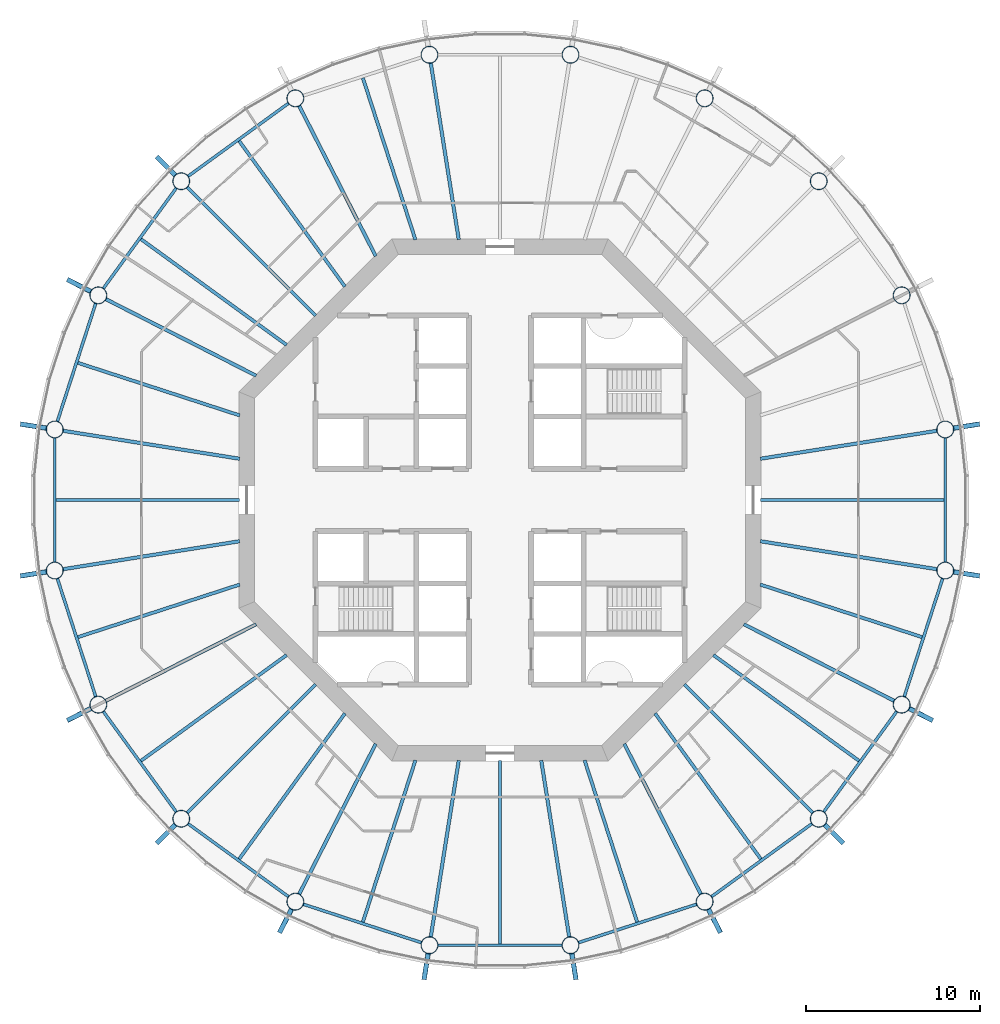
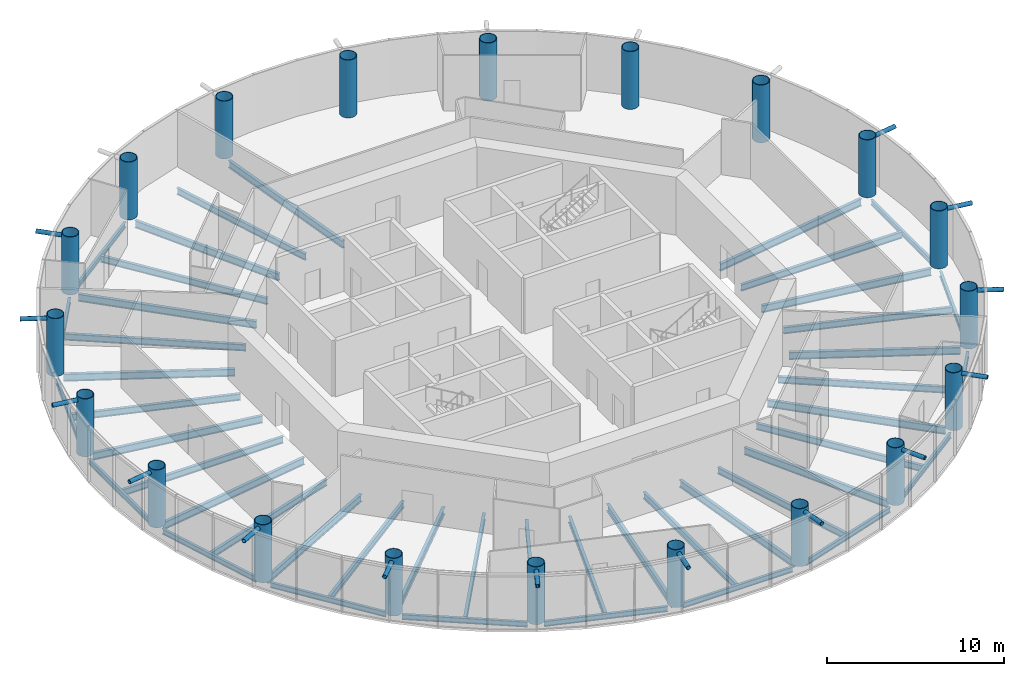
# One storey, part 1 of 13: 45 beams, 20 columns, 14 members.
"""IFC4 building model written with IfcOpenShell, lengths in metres."""

from ifc_helpers import new_model, si_unit, direction, frame, origin, origin_2d, place, context, subcontext, project, spatial, circle, hollow_circle, i_section, extrude, material, material_profile, profile_set, type_object, element, save


model = new_model("IFC4")

# Units and contexts
model_context = context("Model", 3, precision=1e-05, world=origin(), true_north=direction((0.0, 1.0)))
body_context = subcontext(model_context, "Body", "Model", "MODEL_VIEW")
ifc_project = project(units=[si_unit("LENGTHUNIT", "METRE"), si_unit("AREAUNIT", "SQUARE_METRE"), si_unit("VOLUMEUNIT", "CUBIC_METRE"), si_unit("PLANEANGLEUNIT", "RADIAN"), si_unit("MASSUNIT", "GRAM", prefix="KILO")], contexts=[model_context])

# Site, building, storey
site_placement = place(None, origin())
site = spatial("IfcSite", under=ifc_project, at=site_placement, CompositionType="ELEMENT")
building_placement = place(site_placement, origin())
building = spatial("IfcBuilding", under=site, at=building_placement, Name="Entoto Ring Tower", CompositionType="ELEMENT")
storey_placement = place(building_placement, frame((0.0, 0.0, 226.0)))
storey = spatial("IfcBuildingStorey", under=building, at=storey_placement, Name="L52", CompositionType="ELEMENT", Elevation=226.0)

# Columns
ifc_material_1 = material(Name="Steel S355", Category="steel")
ifc_material_profile_1 = material_profile(ifc_material_1, hollow_circle(Radius=0.5, WallThickness=0.0400390625, at=origin_2d()), Name="CHS 1000 x 40")
ifc_material_2 = material(Name="Concrete C60/75", Category="concrete")
ifc_material_profile_2 = material_profile(ifc_material_2, circle(Radius=0.4599609375, at=origin_2d()), Name="Concrete C60/75 infill")
ifc_profile_set_1 = profile_set([ifc_material_profile_1, ifc_material_profile_2], Name="Steel S355")
column_type = type_object("IfcColumnType", Name="Ring column 1000 x 40 concrete-filled tube", PredefinedType="COLUMN", material=ifc_profile_set_1)
for number, where, z_axis, x_axis, name in (
    (1, (115.5810546875, 84.0517578125, 0.0), (0.0, 0.0, 1.0), (1.0, 0.0, 0.0), "RC4 R01"),
    (2, (113.0771484375, 91.75830078125, 0.0), (0.0, 0.0, 1.0), (1.0, 0.0, 0.0), "RC4 R02"),
    (3, (108.31396484375, 98.31396484375, 0.0), (0.0, 0.0, 1.0), (1.0, 0.0, 0.0), "RC4 R03"),
    (4, (101.75830078125, 103.0771484375, 0.0), (0.0, 0.0, 1.0), (1.0, 0.0, 0.0), "RC4 R04"),
    (5, (94.0517578125, 105.5810546875, 0.0), (0.0, 0.0, 1.0), (1.0, 0.0, 0.0), "RC4 R05"),
    (6, (85.9482421875, 105.5810546875, 0.0), (0.0, 0.0, 1.0), (1.0, 0.0, 0.0), "RC4 R06"),
    (7, (78.24169921875, 103.0771484375, 0.0), (0.0, 0.0, 1.0), (1.0, 0.0, 0.0), "RC4 R07"),
    (8, (71.68603515625, 98.31396484375, 0.0), (0.0, 0.0, 1.0), (1.0, 0.0, 0.0), "RC4 R08"),
    (9, (66.9228515625, 91.75830078125, 0.0), (0.0, 0.0, 1.0), (1.0, 0.0, 0.0), "RC4 R09"),
    (10, (64.4189453125, 84.0517578125, 0.0), (0.0, 0.0, 1.0), (1.0, 0.0, 0.0), "RC4 R10"),
    (11, (64.4189453125, 75.9482421875, 0.0), (0.0, 0.0, 1.0), (1.0, 0.0, 0.0), "RC4 R11"),
    (12, (66.9228515625, 68.24169921875, 0.0), (0.0, 0.0, 1.0), (1.0, 0.0, 0.0), "RC4 R12"),
    (13, (71.68603515625, 61.68603515625, 0.0), (0.0, 0.0, 1.0), (1.0, 0.0, 0.0), "RC4 R13"),
    (14, (78.24169921875, 56.9228515625, 0.0), (0.0, 0.0, 1.0), (1.0, 0.0, 0.0), "RC4 R14"),
    (15, (85.9482421875, 54.4189453125, 0.0), (0.0, 0.0, 1.0), (1.0, 0.0, 0.0), "RC4 R15"),
    (16, (94.0517578125, 54.4189453125, 0.0), (0.0, 0.0, 1.0), (1.0, 0.0, 0.0), "RC4 R16"),
    (17, (101.75830078125, 56.9228515625, 0.0), (0.0, 0.0, 1.0), (1.0, 0.0, 0.0), "RC4 R17"),
    (18, (108.31396484375, 61.68603515625, 0.0), (0.0, 0.0, 1.0), (1.0, 0.0, 0.0), "RC4 R18"),
    (19, (113.0771484375, 68.24169921875, 0.0), (0.0, 0.0, 1.0), (1.0, 0.0, 0.0), "RC4 R19"),
    (20, (115.5810546875, 75.9482421875, 0.0), (0.0, 0.0, 1.0), (1.0, 0.0, 0.0), "RC4 R20"),
):
    element("IfcColumn", number, at=place(storey_placement, frame(where, z_axis=z_axis, x_axis=x_axis)), inside=storey, type_object=column_type, Name=name, PredefinedType="COLUMN", context=body_context, shape_type="SweptSolid", body=[
        extrude(hollow_circle(Radius=0.5, WallThickness=0.0400390625, at=origin_2d()), origin(), (0.0, 0.0, 1.0), 4.0),
    ])

# Members
ifc_material_3 = material(Name="Steel S355", Category="steel")
ifc_material_profile_3 = material_profile(ifc_material_3, hollow_circle(Radius=0.136474609375, WallThickness=0.012451171875, at=origin_2d()), Name="CHS 273 x 12.5")
ifc_material_4 = material(Name="Concrete C60/75", Category="concrete")
ifc_material_profile_4 = material_profile(ifc_material_4, circle(Radius=0.1240234375, at=origin_2d()), Name="Concrete C60/75 infill")
ifc_profile_set_2 = profile_set([ifc_material_profile_3, ifc_material_profile_4], Name="Steel S355")
member_type = type_object("IfcMemberType", Name="Diagrid node strut 273 x 12.5", PredefinedType="STRUT", material=ifc_profile_set_2)
member_1_placement = place(storey_placement, frame((116.036376953125, 84.123779296875, 3.71337890625), z_axis=(0.987690828979, 0.156418753192, 0.0), x_axis=(-0.156418753192, 0.987690828979, 0.0)))
element("IfcMember", 21, at=member_1_placement, inside=storey, type_object=member_type, Name="DS2 strut ring 16 01", PredefinedType="STRUT", context=body_context, shape_type="SweptSolid", body=[
    extrude(hollow_circle(Radius=0.136474609375, WallThickness=0.012451171875, at=origin_2d()), origin(), (0.0, 0.0, 1.0), 1.5390625),
])
member_2_placement = place(storey_placement, frame((71.360107421875, 98.639892578125, 3.71337890625), z_axis=(-0.707106781187, 0.707106781187, 0.0), x_axis=(-0.707106781187, -0.707106781187, 0.0)))
element("IfcMember", 22, at=member_2_placement, inside=storey, type_object=member_type, Name="DS2 strut ring 16 08", PredefinedType="STRUT", context=body_context, shape_type="SweptSolid", body=[
    extrude(hollow_circle(Radius=0.136474609375, WallThickness=0.012451171875, at=origin_2d()), origin(), (0.0, 0.0, 1.0), 1.539306640625),
])
for number, where, z_axis, x_axis, name in (
    (23, (66.51220703125, 91.967529296875, 3.71337890625), (-0.891006809714, 0.453989939363, 0.0), (-0.453989939363, -0.891006809714, 0.0), "DS2 strut ring 16 09"),
    (24, (63.963623046875, 84.123779296875, 3.71337890625), (-0.987690828979, 0.156418753192, 0.0), (-0.156418753192, -0.987690828979, 0.0), "DS2 strut ring 16 10"),
    (25, (63.963623046875, 75.876220703125, 3.71337890625), (-0.987690828979, -0.156418753192, 0.0), (0.156418753192, -0.987690828979, 0.0), "DS2 strut ring 16 11"),
    (26, (66.51220703125, 68.032470703125, 3.71337890625), (-0.891006809714, -0.453989939363, 0.0), (0.453989939363, -0.891006809714, 0.0), "DS2 strut ring 16 12"),
):
    element("IfcMember", number, at=place(storey_placement, frame(where, z_axis=z_axis, x_axis=x_axis)), inside=storey, type_object=member_type, Name=name, PredefinedType="STRUT", context=body_context, shape_type="SweptSolid", body=[
        extrude(hollow_circle(Radius=0.136474609375, WallThickness=0.012451171875, at=origin_2d()), origin(), (0.0, 0.0, 1.0), 1.5390625),
    ])
member_3_placement = place(storey_placement, frame((71.360107421875, 61.360107421875, 3.71337890625), z_axis=(-0.707106781187, -0.707106781187, 0.0), x_axis=(0.707106781187, -0.707106781187, 0.0)))
element("IfcMember", 27, at=member_3_placement, inside=storey, type_object=member_type, Name="DS2 strut ring 16 13", PredefinedType="STRUT", context=body_context, shape_type="SweptSolid", body=[
    extrude(hollow_circle(Radius=0.136474609375, WallThickness=0.012451171875, at=origin_2d()), origin(), (0.0, 0.0, 1.0), 1.539306640625),
])
for number, where, z_axis, x_axis, name in (
    (28, (78.032470703125, 56.51220703125, 3.71337890625), (-0.453989939363, -0.891006809714, 0.0), (0.891006809714, -0.453989939363, 0.0), "DS2 strut ring 16 14"),
    (29, (85.876220703125, 53.963623046875, 3.71337890625), (-0.156418753192, -0.987690828979, 0.0), (0.987690828979, -0.156418753192, 0.0), "DS2 strut ring 16 15"),
    (30, (94.123779296875, 53.963623046875, 3.71337890625), (0.156418753192, -0.987690828979, 0.0), (0.987690828979, 0.156418753192, 0.0), "DS2 strut ring 16 16"),
    (31, (101.967529296875, 56.51220703125, 3.71337890625), (0.453989939363, -0.891006809714, 0.0), (0.891006809714, 0.453989939363, 0.0), "DS2 strut ring 16 17"),
):
    element("IfcMember", number, at=place(storey_placement, frame(where, z_axis=z_axis, x_axis=x_axis)), inside=storey, type_object=member_type, Name=name, PredefinedType="STRUT", context=body_context, shape_type="SweptSolid", body=[
        extrude(hollow_circle(Radius=0.136474609375, WallThickness=0.012451171875, at=origin_2d()), origin(), (0.0, 0.0, 1.0), 1.5390625),
    ])
member_4_placement = place(storey_placement, frame((108.639892578125, 61.360107421875, 3.71337890625), z_axis=(0.707106781187, -0.707106781187, 0.0), x_axis=(0.707106781187, 0.707106781187, 0.0)))
element("IfcMember", 32, at=member_4_placement, inside=storey, type_object=member_type, Name="DS2 strut ring 16 18", PredefinedType="STRUT", context=body_context, shape_type="SweptSolid", body=[
    extrude(hollow_circle(Radius=0.136474609375, WallThickness=0.012451171875, at=origin_2d()), origin(), (0.0, 0.0, 1.0), 1.539306640625),
])
for number, where, z_axis, x_axis, name in (
    (33, (113.48779296875, 68.032470703125, 3.71337890625), (0.891006809714, -0.453989939363, 0.0), (0.453989939363, 0.891006809714, 0.0), "DS2 strut ring 16 19"),
    (34, (116.036376953125, 75.876220703125, 3.71337890625), (0.987690828979, -0.156418753192, 0.0), (0.156418753192, 0.987690828979, 0.0), "DS2 strut ring 16 20"),
):
    element("IfcMember", number, at=place(storey_placement, frame(where, z_axis=z_axis, x_axis=x_axis)), inside=storey, type_object=member_type, Name=name, PredefinedType="STRUT", context=body_context, shape_type="SweptSolid", body=[
        extrude(hollow_circle(Radius=0.136474609375, WallThickness=0.012451171875, at=origin_2d()), origin(), (0.0, 0.0, 1.0), 1.5390625),
    ])

# Beams
ifc_material_5 = material(Name="Steel S355", Category="steel")
ifc_material_profile_5 = material_profile(ifc_material_5, i_section(OverallWidth=0.169921875, OverallDepth=0.360107421875, WebThickness=0.008056640625, FlangeThickness=0.0126953125, FilletRadius=0.01806640625, at=origin_2d()), Name="IPE 360")
ifc_profile_set_3 = profile_set([ifc_material_profile_5], Name="Steel S355")
beam_type_1 = type_object("IfcBeamType", Name="Edge beam IPE 360", PredefinedType="SPANDREL", material=ifc_profile_set_3)
for number, where, z_axis, x_axis, name in (
    (35, (77.859375, 102.79931640625, -0.330078125), (-0.809010324619, -0.587794432314, 0.0), (0.587794432314, -0.809010324619, 0.0), "Edge beam L52 07"),
    (36, (71.408203125, 97.931640625, -0.330078125), (-0.587794432314, -0.809010324619, 0.0), (0.809010324619, -0.587794432314, 0.0), "Edge beam L52 08"),
):
    element("IfcBeam", number, at=place(storey_placement, frame(where, z_axis=z_axis, x_axis=x_axis)), inside=storey, type_object=beam_type_1, Name=name, PredefinedType="SPANDREL", context=body_context, shape_type="SweptSolid", body=[
        extrude(i_section(OverallWidth=0.169921875, OverallDepth=0.360107421875, WebThickness=0.008056640625, FlangeThickness=0.0126953125, FilletRadius=0.01806640625, at=origin_2d()), origin(), (0.0, 0.0, 1.0), 7.158203125),
    ])
beam_1_placement = place(storey_placement, frame((66.77685546875, 91.308837890625, -0.330078125), z_axis=(-0.309015118354, -0.951057125849, 0.0), x_axis=(0.951057125849, -0.309015118354, 0.0)))
element("IfcBeam", 37, at=beam_1_placement, inside=storey, type_object=beam_type_1, Name="Edge beam L52 09", PredefinedType="SPANDREL", context=body_context, shape_type="SweptSolid", body=[
    extrude(i_section(OverallWidth=0.169921875, OverallDepth=0.360107421875, WebThickness=0.008056640625, FlangeThickness=0.0126953125, FilletRadius=0.01806640625, at=origin_2d()), origin(), (0.0, 0.0, 1.0), 7.157958984375),
])
beam_2_placement = place(storey_placement, frame((64.4189453125, 83.5791015625, -0.330078125), z_axis=(0.0, -1.0, 0.0), x_axis=(1.0, 0.0, 0.0)))
element("IfcBeam", 38, at=beam_2_placement, inside=storey, type_object=beam_type_1, Name="Edge beam L52 10", PredefinedType="SPANDREL", context=body_context, shape_type="SweptSolid", body=[
    extrude(i_section(OverallWidth=0.169921875, OverallDepth=0.360107421875, WebThickness=0.008056640625, FlangeThickness=0.0126953125, FilletRadius=0.01806640625, at=origin_2d()), origin(), (0.0, 0.0, 1.0), 7.158203125),
])
beam_3_placement = place(storey_placement, frame((64.56494140625, 75.498779296875, -0.330078125), z_axis=(0.309015118354, -0.951057125849, 0.0), x_axis=(0.951057125849, 0.309015118354, 0.0)))
element("IfcBeam", 39, at=beam_3_placement, inside=storey, type_object=beam_type_1, Name="Edge beam L52 11", PredefinedType="SPANDREL", context=body_context, shape_type="SweptSolid", body=[
    extrude(i_section(OverallWidth=0.169921875, OverallDepth=0.360107421875, WebThickness=0.008056640625, FlangeThickness=0.0126953125, FilletRadius=0.01806640625, at=origin_2d()), origin(), (0.0, 0.0, 1.0), 7.157958984375),
])
for number, where, z_axis, x_axis, name in (
    (40, (67.20068359375, 67.859375, -0.330078125), (0.587794432314, -0.809010324619, 0.0), (0.809010324619, 0.587794432314, 0.0), "Edge beam L52 12"),
    (41, (72.068359375, 61.408203125, -0.330078125), (0.809010324619, -0.587794432314, 0.0), (0.587794432314, 0.809010324619, 0.0), "Edge beam L52 13"),
):
    element("IfcBeam", number, at=place(storey_placement, frame(where, z_axis=z_axis, x_axis=x_axis)), inside=storey, type_object=beam_type_1, Name=name, PredefinedType="SPANDREL", context=body_context, shape_type="SweptSolid", body=[
        extrude(i_section(OverallWidth=0.169921875, OverallDepth=0.360107421875, WebThickness=0.008056640625, FlangeThickness=0.0126953125, FilletRadius=0.01806640625, at=origin_2d()), origin(), (0.0, 0.0, 1.0), 7.158203125),
    ])
beam_4_placement = place(storey_placement, frame((78.691162109375, 56.77685546875, -0.330078125), z_axis=(0.951057125849, -0.309015118354, 0.0), x_axis=(0.309015118354, 0.951057125849, 0.0)))
element("IfcBeam", 42, at=beam_4_placement, inside=storey, type_object=beam_type_1, Name="Edge beam L52 14", PredefinedType="SPANDREL", context=body_context, shape_type="SweptSolid", body=[
    extrude(i_section(OverallWidth=0.169921875, OverallDepth=0.360107421875, WebThickness=0.008056640625, FlangeThickness=0.0126953125, FilletRadius=0.01806640625, at=origin_2d()), origin(), (0.0, 0.0, 1.0), 7.157958984375),
])
beam_5_placement = place(storey_placement, frame((86.4208984375, 54.4189453125, -0.330078125), z_axis=(1.0, 0.0, 0.0), x_axis=(0.0, 1.0, 0.0)))
element("IfcBeam", 43, at=beam_5_placement, inside=storey, type_object=beam_type_1, Name="Edge beam L52 15", PredefinedType="SPANDREL", context=body_context, shape_type="SweptSolid", body=[
    extrude(i_section(OverallWidth=0.169921875, OverallDepth=0.360107421875, WebThickness=0.008056640625, FlangeThickness=0.0126953125, FilletRadius=0.01806640625, at=origin_2d()), origin(), (0.0, 0.0, 1.0), 7.158203125),
])
beam_6_placement = place(storey_placement, frame((94.501220703125, 54.56494140625, -0.330078125), z_axis=(0.951057125849, 0.309015118354, 0.0), x_axis=(-0.309015118354, 0.951057125849, 0.0)))
element("IfcBeam", 44, at=beam_6_placement, inside=storey, type_object=beam_type_1, Name="Edge beam L52 16", PredefinedType="SPANDREL", context=body_context, shape_type="SweptSolid", body=[
    extrude(i_section(OverallWidth=0.169921875, OverallDepth=0.360107421875, WebThickness=0.008056640625, FlangeThickness=0.0126953125, FilletRadius=0.01806640625, at=origin_2d()), origin(), (0.0, 0.0, 1.0), 7.157958984375),
])
for number, where, z_axis, x_axis, name in (
    (45, (102.140625, 57.20068359375, -0.330078125), (0.809010324619, 0.587794432314, 0.0), (-0.587794432314, 0.809010324619, 0.0), "Edge beam L52 17"),
    (46, (108.591796875, 62.068359375, -0.330078125), (0.587794432314, 0.809010324619, 0.0), (-0.809010324619, 0.587794432314, 0.0), "Edge beam L52 18"),
):
    element("IfcBeam", number, at=place(storey_placement, frame(where, z_axis=z_axis, x_axis=x_axis)), inside=storey, type_object=beam_type_1, Name=name, PredefinedType="SPANDREL", context=body_context, shape_type="SweptSolid", body=[
        extrude(i_section(OverallWidth=0.169921875, OverallDepth=0.360107421875, WebThickness=0.008056640625, FlangeThickness=0.0126953125, FilletRadius=0.01806640625, at=origin_2d()), origin(), (0.0, 0.0, 1.0), 7.158203125),
    ])
beam_7_placement = place(storey_placement, frame((113.22314453125, 68.691162109375, -0.330078125), z_axis=(0.309015118354, 0.951057125849, 0.0), x_axis=(-0.951057125849, 0.309015118354, 0.0)))
element("IfcBeam", 47, at=beam_7_placement, inside=storey, type_object=beam_type_1, Name="Edge beam L52 19", PredefinedType="SPANDREL", context=body_context, shape_type="SweptSolid", body=[
    extrude(i_section(OverallWidth=0.169921875, OverallDepth=0.360107421875, WebThickness=0.008056640625, FlangeThickness=0.0126953125, FilletRadius=0.01806640625, at=origin_2d()), origin(), (0.0, 0.0, 1.0), 7.157958984375),
])
beam_8_placement = place(storey_placement, frame((115.5810546875, 76.4208984375, -0.330078125), z_axis=(0.0, 1.0, 0.0), x_axis=(-1.0, 0.0, 0.0)))
element("IfcBeam", 48, at=beam_8_placement, inside=storey, type_object=beam_type_1, Name="Edge beam L52 20", PredefinedType="SPANDREL", context=body_context, shape_type="SweptSolid", body=[
    extrude(i_section(OverallWidth=0.169921875, OverallDepth=0.360107421875, WebThickness=0.008056640625, FlangeThickness=0.0126953125, FilletRadius=0.01806640625, at=origin_2d()), origin(), (0.0, 0.0, 1.0), 7.158203125),
])
ifc_material_6 = material(Name="Steel S355", Category="steel")
ifc_material_profile_6 = material_profile(ifc_material_6, i_section(OverallWidth=0.199951171875, OverallDepth=0.5, WebThickness=0.01025390625, FlangeThickness=0.01611328125, FilletRadius=0.02099609375, at=origin_2d()), Name="IPE 500")
ifc_profile_set_4 = profile_set([ifc_material_profile_6], Name="Steel S355")
beam_type_2 = type_object("IfcBeamType", Name="Primary floor beam IPE 500", PredefinedType="BEAM", material=ifc_profile_set_4)
for number, where, z_axis, x_axis, name in (
    (49, (104.964599609375, 82.3701171875, -0.39990234375), (0.987685619518, 0.156451644281, 0.0), (-0.156451644281, 0.987685619518, 0.0), "Primary L52 R01"),
    (50, (87.6298828125, 94.964599609375, -0.39990234375), (-0.156451644281, 0.987685619518, 0.0), (-0.987685619518, -0.156451644281, 0.0), "Primary L52 R06"),
):
    element("IfcBeam", number, at=place(storey_placement, frame(where, z_axis=z_axis, x_axis=x_axis)), inside=storey, type_object=beam_type_2, Name=name, PredefinedType="BEAM", context=body_context, shape_type="SweptSolid", body=[
        extrude(i_section(OverallWidth=0.199951171875, OverallDepth=0.5, WebThickness=0.01025390625, FlangeThickness=0.01611328125, FilletRadius=0.02099609375, at=origin_2d()), origin(), (0.0, 0.0, 1.0), 10.27880859375),
    ])
beam_9_placement = place(storey_placement, frame((82.863525390625, 94.006103515625, -0.39990234375), z_axis=(-0.45397888461, 0.891012442297, 0.0), x_axis=(-0.891012442297, -0.45397888461, 0.0)))
element("IfcBeam", 51, at=beam_9_placement, inside=storey, type_object=beam_type_2, Name="Primary L52 R07", PredefinedType="BEAM", context=body_context, shape_type="SweptSolid", body=[
    extrude(i_section(OverallWidth=0.199951171875, OverallDepth=0.5, WebThickness=0.01025390625, FlangeThickness=0.01611328125, FilletRadius=0.02099609375, at=origin_2d()), origin(), (0.0, 0.0, 1.0), 9.710693359375),
])
beam_10_placement = place(storey_placement, frame((79.407470703125, 90.592529296875, -0.39990234375), z_axis=(-0.707106781187, 0.707106781187, 0.0), x_axis=(-0.707106781187, -0.707106781187, 0.0)))
element("IfcBeam", 52, at=beam_10_placement, inside=storey, type_object=beam_type_2, Name="Primary L52 R08", PredefinedType="BEAM", context=body_context, shape_type="SweptSolid", body=[
    extrude(i_section(OverallWidth=0.199951171875, OverallDepth=0.5, WebThickness=0.01025390625, FlangeThickness=0.01611328125, FilletRadius=0.02099609375, at=origin_2d()), origin(), (0.0, 0.0, 1.0), 10.4501953125),
])
beam_11_placement = place(storey_placement, frame((75.993896484375, 87.136474609375, -0.39990234375), z_axis=(-0.891012442297, 0.45397888461, 0.0), x_axis=(-0.45397888461, -0.891012442297, 0.0)))
element("IfcBeam", 53, at=beam_11_placement, inside=storey, type_object=beam_type_2, Name="Primary L52 R09", PredefinedType="BEAM", context=body_context, shape_type="SweptSolid", body=[
    extrude(i_section(OverallWidth=0.199951171875, OverallDepth=0.5, WebThickness=0.01025390625, FlangeThickness=0.01611328125, FilletRadius=0.02099609375, at=origin_2d()), origin(), (0.0, 0.0, 1.0), 9.710693359375),
])
for number, where, z_axis, x_axis, name in (
    (54, (75.035400390625, 82.3701171875, -0.39990234375), (-0.987685619518, 0.156451644281, 0.0), (-0.156451644281, -0.987685619518, 0.0), "Primary L52 R10"),
    (55, (75.035400390625, 77.6298828125, -0.39990234375), (-0.987685619518, -0.156451644281, 0.0), (0.156451644281, -0.987685619518, 0.0), "Primary L52 R11"),
):
    element("IfcBeam", number, at=place(storey_placement, frame(where, z_axis=z_axis, x_axis=x_axis)), inside=storey, type_object=beam_type_2, Name=name, PredefinedType="BEAM", context=body_context, shape_type="SweptSolid", body=[
        extrude(i_section(OverallWidth=0.199951171875, OverallDepth=0.5, WebThickness=0.01025390625, FlangeThickness=0.01611328125, FilletRadius=0.02099609375, at=origin_2d()), origin(), (0.0, 0.0, 1.0), 10.27880859375),
    ])
beam_12_placement = place(storey_placement, frame((75.993896484375, 72.863525390625, -0.39990234375), z_axis=(-0.891012442297, -0.45397888461, 0.0), x_axis=(0.45397888461, -0.891012442297, 0.0)))
element("IfcBeam", 56, at=beam_12_placement, inside=storey, type_object=beam_type_2, Name="Primary L52 R12", PredefinedType="BEAM", context=body_context, shape_type="SweptSolid", body=[
    extrude(i_section(OverallWidth=0.199951171875, OverallDepth=0.5, WebThickness=0.01025390625, FlangeThickness=0.01611328125, FilletRadius=0.02099609375, at=origin_2d()), origin(), (0.0, 0.0, 1.0), 9.710693359375),
])
beam_13_placement = place(storey_placement, frame((79.407470703125, 69.407470703125, -0.39990234375), z_axis=(-0.707106781187, -0.707106781187, 0.0), x_axis=(0.707106781187, -0.707106781187, 0.0)))
element("IfcBeam", 57, at=beam_13_placement, inside=storey, type_object=beam_type_2, Name="Primary L52 R13", PredefinedType="BEAM", context=body_context, shape_type="SweptSolid", body=[
    extrude(i_section(OverallWidth=0.199951171875, OverallDepth=0.5, WebThickness=0.01025390625, FlangeThickness=0.01611328125, FilletRadius=0.02099609375, at=origin_2d()), origin(), (0.0, 0.0, 1.0), 10.4501953125),
])
beam_14_placement = place(storey_placement, frame((82.863525390625, 65.993896484375, -0.39990234375), z_axis=(-0.45397888461, -0.891012442297, 0.0), x_axis=(0.891012442297, -0.45397888461, 0.0)))
element("IfcBeam", 58, at=beam_14_placement, inside=storey, type_object=beam_type_2, Name="Primary L52 R14", PredefinedType="BEAM", context=body_context, shape_type="SweptSolid", body=[
    extrude(i_section(OverallWidth=0.199951171875, OverallDepth=0.5, WebThickness=0.01025390625, FlangeThickness=0.01611328125, FilletRadius=0.02099609375, at=origin_2d()), origin(), (0.0, 0.0, 1.0), 9.710693359375),
])
for number, where, z_axis, x_axis, name in (
    (59, (87.6298828125, 65.035400390625, -0.39990234375), (-0.156451644281, -0.987685619518, 0.0), (0.987685619518, -0.156451644281, 0.0), "Primary L52 R15"),
    (60, (92.3701171875, 65.035400390625, -0.39990234375), (0.156451644281, -0.987685619518, 0.0), (0.987685619518, 0.156451644281, 0.0), "Primary L52 R16"),
):
    element("IfcBeam", number, at=place(storey_placement, frame(where, z_axis=z_axis, x_axis=x_axis)), inside=storey, type_object=beam_type_2, Name=name, PredefinedType="BEAM", context=body_context, shape_type="SweptSolid", body=[
        extrude(i_section(OverallWidth=0.199951171875, OverallDepth=0.5, WebThickness=0.01025390625, FlangeThickness=0.01611328125, FilletRadius=0.02099609375, at=origin_2d()), origin(), (0.0, 0.0, 1.0), 10.27880859375),
    ])
beam_15_placement = place(storey_placement, frame((97.136474609375, 65.993896484375, -0.39990234375), z_axis=(0.45397888461, -0.891012442297, 0.0), x_axis=(0.891012442297, 0.45397888461, 0.0)))
element("IfcBeam", 61, at=beam_15_placement, inside=storey, type_object=beam_type_2, Name="Primary L52 R17", PredefinedType="BEAM", context=body_context, shape_type="SweptSolid", body=[
    extrude(i_section(OverallWidth=0.199951171875, OverallDepth=0.5, WebThickness=0.01025390625, FlangeThickness=0.01611328125, FilletRadius=0.02099609375, at=origin_2d()), origin(), (0.0, 0.0, 1.0), 9.710693359375),
])
beam_16_placement = place(storey_placement, frame((100.592529296875, 69.407470703125, -0.39990234375), z_axis=(0.707106781187, -0.707106781187, 0.0), x_axis=(0.707106781187, 0.707106781187, 0.0)))
element("IfcBeam", 62, at=beam_16_placement, inside=storey, type_object=beam_type_2, Name="Primary L52 R18", PredefinedType="BEAM", context=body_context, shape_type="SweptSolid", body=[
    extrude(i_section(OverallWidth=0.199951171875, OverallDepth=0.5, WebThickness=0.01025390625, FlangeThickness=0.01611328125, FilletRadius=0.02099609375, at=origin_2d()), origin(), (0.0, 0.0, 1.0), 10.4501953125),
])
beam_17_placement = place(storey_placement, frame((104.006103515625, 72.863525390625, -0.39990234375), z_axis=(0.891012442297, -0.45397888461, 0.0), x_axis=(0.45397888461, 0.891012442297, 0.0)))
element("IfcBeam", 63, at=beam_17_placement, inside=storey, type_object=beam_type_2, Name="Primary L52 R19", PredefinedType="BEAM", context=body_context, shape_type="SweptSolid", body=[
    extrude(i_section(OverallWidth=0.199951171875, OverallDepth=0.5, WebThickness=0.01025390625, FlangeThickness=0.01611328125, FilletRadius=0.02099609375, at=origin_2d()), origin(), (0.0, 0.0, 1.0), 9.710693359375),
])
beam_18_placement = place(storey_placement, frame((104.964599609375, 77.6298828125, -0.39990234375), z_axis=(0.987685619518, -0.156451644281, 0.0), x_axis=(0.156451644281, 0.987685619518, 0.0)))
element("IfcBeam", 64, at=beam_18_placement, inside=storey, type_object=beam_type_2, Name="Primary L52 R20", PredefinedType="BEAM", context=body_context, shape_type="SweptSolid", body=[
    extrude(i_section(OverallWidth=0.199951171875, OverallDepth=0.5, WebThickness=0.01025390625, FlangeThickness=0.01611328125, FilletRadius=0.02099609375, at=origin_2d()), origin(), (0.0, 0.0, 1.0), 10.27880859375),
])
ifc_material_7 = material(Name="Steel S355", Category="steel")
ifc_material_profile_7 = material_profile(ifc_material_7, i_section(OverallWidth=0.18994140625, OverallDepth=0.449951171875, WebThickness=0.009521484375, FlangeThickness=0.0146484375, FilletRadius=0.02099609375, at=origin_2d()), Name="IPE 450")
ifc_profile_set_5 = profile_set([ifc_material_profile_7], Name="Steel S355")
beam_type_3 = type_object("IfcBeamType", Name="Secondary floor beam IPE 450", PredefinedType="JOIST", material=ifc_profile_set_5)
beam_19_placement = place(storey_placement, frame((85.141845703125, 94.95166015625, -0.375), z_axis=(-0.309003053144, 0.951061045963, 0.0), x_axis=(-0.951061045963, -0.309003053144, 0.0)))
element("IfcBeam", 65, at=beam_19_placement, inside=storey, type_object=beam_type_3, Name="Secondary beam L52 06", PredefinedType="JOIST", context=body_context, shape_type="SweptSolid", body=[
    extrude(i_section(OverallWidth=0.18994140625, OverallDepth=0.449951171875, WebThickness=0.009521484375, FlangeThickness=0.0146484375, FilletRadius=0.02099609375, at=origin_2d()), origin(), (0.0, 0.0, 1.0), 9.77490234375),
])
for number, where, z_axis, x_axis, name in (
    (66, (81.093994140625, 92.258056640625, -0.375), (-0.58779413796, 0.809010538485, 0.0), (-0.809010538485, -0.58779413796, 0.0), "Secondary beam L52 07"),
    (67, (77.741943359375, 88.906005859375, -0.375), (-0.809010538485, 0.58779413796, 0.0), (-0.58779413796, -0.809010538485, 0.0), "Secondary beam L52 08"),
):
    element("IfcBeam", number, at=place(storey_placement, frame(where, z_axis=z_axis, x_axis=x_axis)), inside=storey, type_object=beam_type_3, Name=name, PredefinedType="JOIST", context=body_context, shape_type="SweptSolid", body=[
        extrude(i_section(OverallWidth=0.18994140625, OverallDepth=0.449951171875, WebThickness=0.009521484375, FlangeThickness=0.0146484375, FilletRadius=0.02099609375, at=origin_2d()), origin(), (0.0, 0.0, 1.0), 10.34423828125),
    ])
beam_20_placement = place(storey_placement, frame((75.04833984375, 84.858154296875, -0.375), z_axis=(-0.951061045963, 0.309003053144, 0.0), x_axis=(-0.309003053144, -0.951061045963, 0.0)))
element("IfcBeam", 68, at=beam_20_placement, inside=storey, type_object=beam_type_3, Name="Secondary beam L52 09", PredefinedType="JOIST", context=body_context, shape_type="SweptSolid", body=[
    extrude(i_section(OverallWidth=0.18994140625, OverallDepth=0.449951171875, WebThickness=0.009521484375, FlangeThickness=0.0146484375, FilletRadius=0.02099609375, at=origin_2d()), origin(), (0.0, 0.0, 1.0), 9.77490234375),
])
beam_21_placement = place(storey_placement, frame((75.02001953125, 80.0, -0.375), z_axis=(-1.0, 0.0, 0.0), x_axis=(0.0, -1.0, 0.0)))
element("IfcBeam", 69, at=beam_21_placement, inside=storey, type_object=beam_type_3, Name="Secondary beam L52 10", PredefinedType="JOIST", context=body_context, shape_type="SweptSolid", body=[
    extrude(i_section(OverallWidth=0.18994140625, OverallDepth=0.449951171875, WebThickness=0.009521484375, FlangeThickness=0.0146484375, FilletRadius=0.02099609375, at=origin_2d()), origin(), (0.0, 0.0, 1.0), 10.51611328125),
])
beam_22_placement = place(storey_placement, frame((75.04833984375, 75.141845703125, -0.375), z_axis=(-0.951061045963, -0.309003053144, 0.0), x_axis=(0.309003053144, -0.951061045963, 0.0)))
element("IfcBeam", 70, at=beam_22_placement, inside=storey, type_object=beam_type_3, Name="Secondary beam L52 11", PredefinedType="JOIST", context=body_context, shape_type="SweptSolid", body=[
    extrude(i_section(OverallWidth=0.18994140625, OverallDepth=0.449951171875, WebThickness=0.009521484375, FlangeThickness=0.0146484375, FilletRadius=0.02099609375, at=origin_2d()), origin(), (0.0, 0.0, 1.0), 9.77490234375),
])
for number, where, z_axis, x_axis, name in (
    (71, (77.741943359375, 71.093994140625, -0.375), (-0.809010538485, -0.58779413796, 0.0), (0.58779413796, -0.809010538485, 0.0), "Secondary beam L52 12"),
    (72, (81.093994140625, 67.741943359375, -0.375), (-0.58779413796, -0.809010538485, 0.0), (0.809010538485, -0.58779413796, 0.0), "Secondary beam L52 13"),
):
    element("IfcBeam", number, at=place(storey_placement, frame(where, z_axis=z_axis, x_axis=x_axis)), inside=storey, type_object=beam_type_3, Name=name, PredefinedType="JOIST", context=body_context, shape_type="SweptSolid", body=[
        extrude(i_section(OverallWidth=0.18994140625, OverallDepth=0.449951171875, WebThickness=0.009521484375, FlangeThickness=0.0146484375, FilletRadius=0.02099609375, at=origin_2d()), origin(), (0.0, 0.0, 1.0), 10.34423828125),
    ])
beam_23_placement = place(storey_placement, frame((85.141845703125, 65.04833984375, -0.375), z_axis=(-0.309003053144, -0.951061045963, 0.0), x_axis=(0.951061045963, -0.309003053144, 0.0)))
element("IfcBeam", 73, at=beam_23_placement, inside=storey, type_object=beam_type_3, Name="Secondary beam L52 14", PredefinedType="JOIST", context=body_context, shape_type="SweptSolid", body=[
    extrude(i_section(OverallWidth=0.18994140625, OverallDepth=0.449951171875, WebThickness=0.009521484375, FlangeThickness=0.0146484375, FilletRadius=0.02099609375, at=origin_2d()), origin(), (0.0, 0.0, 1.0), 9.77490234375),
])
beam_24_placement = place(storey_placement, frame((90.0, 65.02001953125, -0.375), z_axis=(0.0, -1.0, 0.0), x_axis=(1.0, 0.0, 0.0)))
element("IfcBeam", 74, at=beam_24_placement, inside=storey, type_object=beam_type_3, Name="Secondary beam L52 15", PredefinedType="JOIST", context=body_context, shape_type="SweptSolid", body=[
    extrude(i_section(OverallWidth=0.18994140625, OverallDepth=0.449951171875, WebThickness=0.009521484375, FlangeThickness=0.0146484375, FilletRadius=0.02099609375, at=origin_2d()), origin(), (0.0, 0.0, 1.0), 10.51611328125),
])
beam_25_placement = place(storey_placement, frame((94.858154296875, 65.04833984375, -0.375), z_axis=(0.309003053144, -0.951061045963, 0.0), x_axis=(0.951061045963, 0.309003053144, 0.0)))
element("IfcBeam", 75, at=beam_25_placement, inside=storey, type_object=beam_type_3, Name="Secondary beam L52 16", PredefinedType="JOIST", context=body_context, shape_type="SweptSolid", body=[
    extrude(i_section(OverallWidth=0.18994140625, OverallDepth=0.449951171875, WebThickness=0.009521484375, FlangeThickness=0.0146484375, FilletRadius=0.02099609375, at=origin_2d()), origin(), (0.0, 0.0, 1.0), 9.77490234375),
])
for number, where, z_axis, x_axis, name in (
    (76, (98.906005859375, 67.741943359375, -0.375), (0.58779413796, -0.809010538485, 0.0), (0.809010538485, 0.58779413796, 0.0), "Secondary beam L52 17"),
    (77, (102.258056640625, 71.093994140625, -0.375), (0.809010538485, -0.58779413796, 0.0), (0.58779413796, 0.809010538485, 0.0), "Secondary beam L52 18"),
):
    element("IfcBeam", number, at=place(storey_placement, frame(where, z_axis=z_axis, x_axis=x_axis)), inside=storey, type_object=beam_type_3, Name=name, PredefinedType="JOIST", context=body_context, shape_type="SweptSolid", body=[
        extrude(i_section(OverallWidth=0.18994140625, OverallDepth=0.449951171875, WebThickness=0.009521484375, FlangeThickness=0.0146484375, FilletRadius=0.02099609375, at=origin_2d()), origin(), (0.0, 0.0, 1.0), 10.34423828125),
    ])
beam_26_placement = place(storey_placement, frame((104.95166015625, 75.141845703125, -0.375), z_axis=(0.951061045963, -0.309003053144, 0.0), x_axis=(0.309003053144, 0.951061045963, 0.0)))
element("IfcBeam", 78, at=beam_26_placement, inside=storey, type_object=beam_type_3, Name="Secondary beam L52 19", PredefinedType="JOIST", context=body_context, shape_type="SweptSolid", body=[
    extrude(i_section(OverallWidth=0.18994140625, OverallDepth=0.449951171875, WebThickness=0.009521484375, FlangeThickness=0.0146484375, FilletRadius=0.02099609375, at=origin_2d()), origin(), (0.0, 0.0, 1.0), 9.77490234375),
])
beam_27_placement = place(storey_placement, frame((104.97998046875, 80.0, -0.375), z_axis=(1.0, 0.0, 0.0), x_axis=(0.0, 1.0, 0.0)))
element("IfcBeam", 79, at=beam_27_placement, inside=storey, type_object=beam_type_3, Name="Secondary beam L52 20", PredefinedType="JOIST", context=body_context, shape_type="SweptSolid", body=[
    extrude(i_section(OverallWidth=0.18994140625, OverallDepth=0.449951171875, WebThickness=0.009521484375, FlangeThickness=0.0146484375, FilletRadius=0.02099609375, at=origin_2d()), origin(), (0.0, 0.0, 1.0), 10.51611328125),
])

save(model, "model.ifc")
